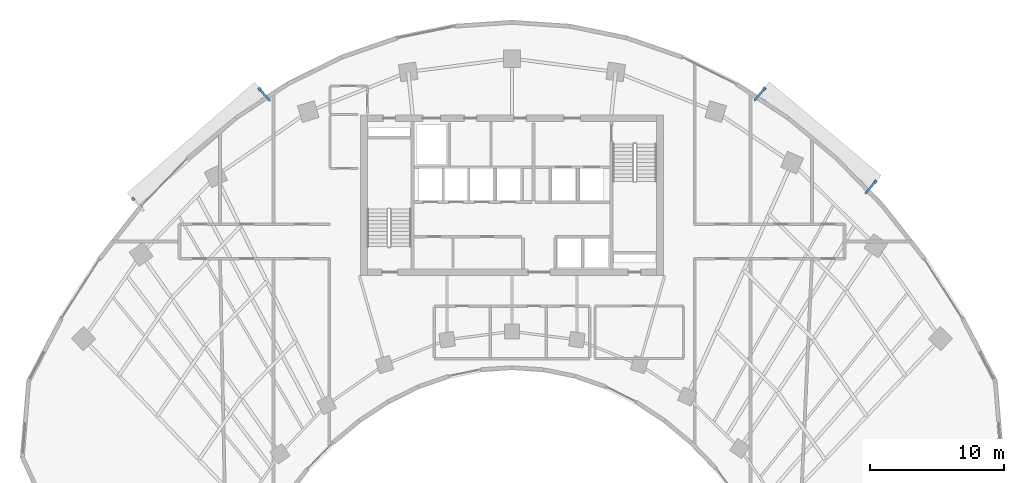
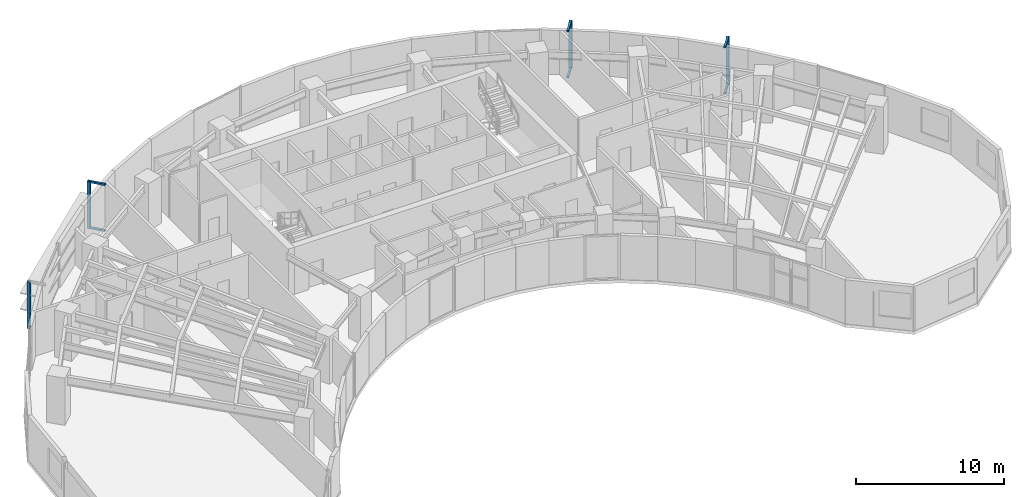
# One storey, part 12 of 14: 10 discrete accessories.
"""IFC4 building model written with IfcOpenShell, lengths in metres."""

from ifc_helpers import new_model, si_unit, direction, frame, origin, origin_2d, place, context, subcontext, project, spatial, rectangle, extrude, source, transform, mapped, material, type_object, type_shapes, element, save


model = new_model("IFC4")

# Units and contexts
model_context = context("Model", 3, precision=1e-05, world=origin(), true_north=direction((0.0, 1.0)))
body_context = subcontext(model_context, "Body", "Model", "MODEL_VIEW")
ifc_project = project(units=[si_unit("LENGTHUNIT", "METRE"), si_unit("AREAUNIT", "SQUARE_METRE"), si_unit("VOLUMEUNIT", "CUBIC_METRE"), si_unit("PLANEANGLEUNIT", "RADIAN"), si_unit("MASSUNIT", "GRAM", prefix="KILO")], contexts=[model_context])

# Site, building, storey
site_placement = place(None, origin())
site = spatial("IfcSite", under=ifc_project, at=site_placement, CompositionType="ELEMENT")
building_placement = place(site_placement, origin())
building = spatial("IfcBuilding", under=site, at=building_placement, Name="Breltana Convention Tower", CompositionType="ELEMENT")
storey_placement = place(building_placement, frame((0.0, 0.0, 135.0)))
storey = spatial("IfcBuildingStorey", under=building, at=storey_placement, Name="L32", CompositionType="ELEMENT", Elevation=135.0)

# Discrete accessories
ifc_material = material(Name="Steel S355", Category="steel")
discrete_accessory_type_1 = type_object("IfcDiscreteAccessoryType", Name="ACC-DSF-BRACKET-150", PredefinedType="BRACKET", material=ifc_material)
shared_shape_1 = source(origin(), body_context, "Body", "SweptSolid", [
    extrude(rectangle(XDim=1.239990234375, YDim=0.14990234375, at=origin_2d()), origin(), (0.0, 0.0, 1.0), 0.139892578125),
])
type_shapes(discrete_accessory_type_1, [shared_shape_1])
for number, where, z_axis, x_axis, name in (
    (1, (29.520751953125, 73.713623046875, -0.16015625), (0.0, 0.0, 1.0), (-0.656454255701, 0.754365833115, 0.0), "L32 double-skin slab stand-off bracket 1.2B"),
    (2, (29.520751953125, 73.713623046875, 3.64990234375), (0.0, 0.0, 1.0), (-0.656454255701, 0.754365833115, 0.0), "L32 double-skin slab stand-off bracket 1.2T"),
    (3, (66.487060546875, 73.735595703125, -0.16015625), (0.0, 0.0, 1.0), (0.641987488939, 0.766715112702, 0.0), "L32 double-skin slab stand-off bracket 2.1B"),
    (4, (66.487060546875, 73.735595703125, 3.64990234375), (0.0, 0.0, 1.0), (0.641987488939, 0.766715112702, 0.0), "L32 double-skin slab stand-off bracket 2.1T"),
    (5, (74.777099609375, 66.794189453125, -0.16015625), (0.0, 0.0, 1.0), (0.641987488939, 0.766715112702, 0.0), "L32 double-skin slab stand-off bracket 2.2B"),
    (6, (74.777099609375, 66.794189453125, 3.64990234375), (0.0, 0.0, 1.0), (0.641987488939, 0.766715112702, 0.0), "L32 double-skin slab stand-off bracket 2.2T"),
):
    element("IfcDiscreteAccessory", number, at=place(storey_placement, frame(where, z_axis=z_axis, x_axis=x_axis)), inside=storey, type_object=discrete_accessory_type_1, Name=name, PredefinedType="BRACKET", context=body_context, shape_type="MappedRepresentation", body=[
        mapped(shared_shape_1, transform((0.0, 0.0, 0.0), scale=1.0)),
    ])
discrete_accessory_type_2 = type_object("IfcDiscreteAccessoryType", Name="ACC-DSF-CARRIER-150", PredefinedType="BRACKET", material=ifc_material)
shared_shape_2 = source(origin(), body_context, "Body", "SweptSolid", [
    extrude(rectangle(XDim=0.219970703125, YDim=0.219970703125, at=origin_2d()), origin(), (0.0, 0.0, 1.0), 3.8701171875),
])
for number, where, z_axis, x_axis, name in (
    (7, (19.712646484375, 65.9208984375, -0.1201171875), (0.0, 0.0, 1.0), (-0.656454255701, 0.754365833115, 0.0), "L32 double-skin outer vertical carrier 1.1"),
    (8, (29.153076171875, 74.135986328125, -0.1201171875), (0.0, 0.0, 1.0), (-0.656454255701, 0.754365833115, 0.0), "L32 double-skin outer vertical carrier 1.2"),
    (9, (66.8466796875, 74.1650390625, -0.1201171875), (0.0, 0.0, 1.0), (0.641987488939, 0.766715112702, 0.0), "L32 double-skin outer vertical carrier 2.1"),
    (10, (75.13671875, 67.2236328125, -0.1201171875), (0.0, 0.0, 1.0), (0.641987488939, 0.766715112702, 0.0), "L32 double-skin outer vertical carrier 2.2"),
):
    element("IfcDiscreteAccessory", number, at=place(storey_placement, frame(where, z_axis=z_axis, x_axis=x_axis)), inside=storey, type_object=discrete_accessory_type_2, Name=name, PredefinedType="BRACKET", context=body_context, shape_type="MappedRepresentation", body=[
        mapped(shared_shape_2, transform((0.0, 0.0, 0.0), scale=1.0)),
    ])

save(model, "model.ifc")
